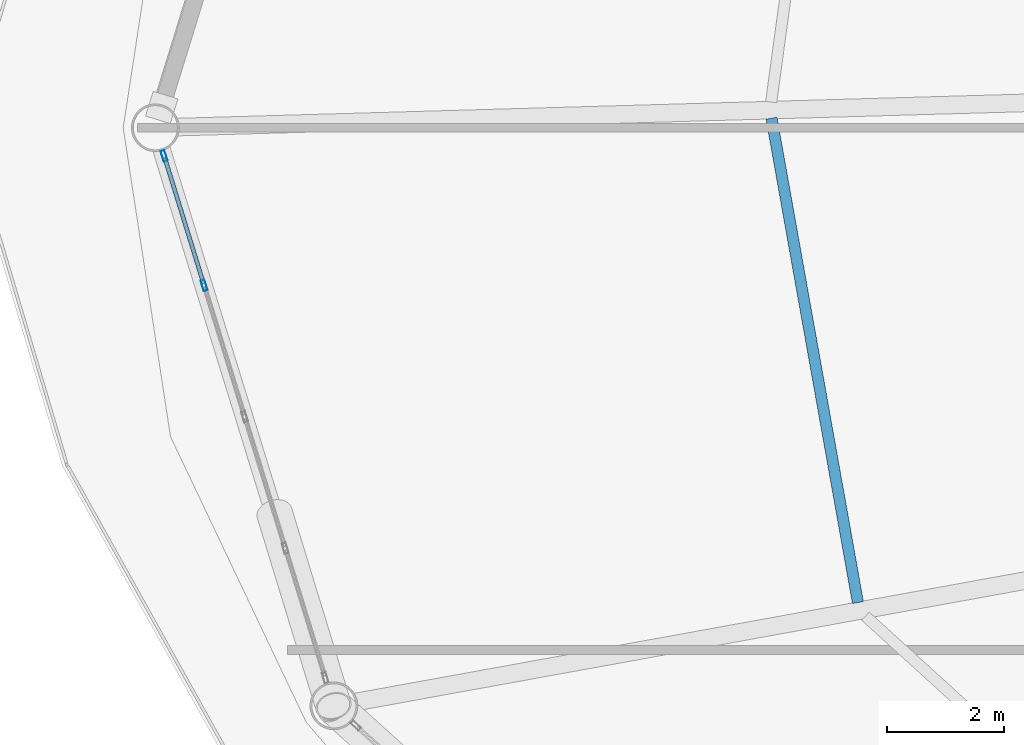
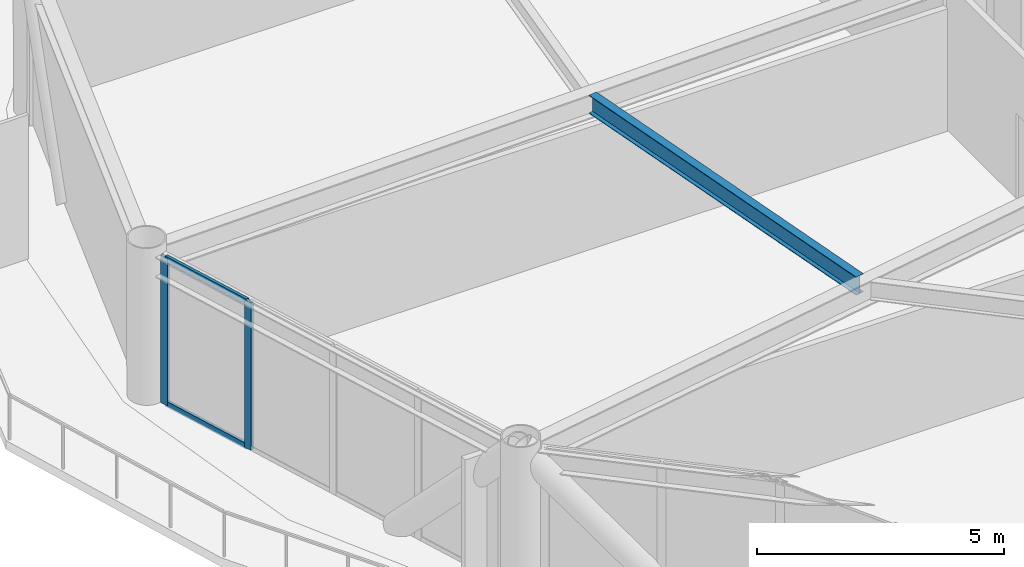
# One storey, part 7 of 23: 4 members, 1 beam, 1 element without a shape of its own.
"""IFC4 building model written with IfcOpenShell, lengths in metres."""

from ifc_helpers import new_model, si_unit, direction, frame, origin, origin_2d, place, context, subcontext, project, spatial, hollow_rectangle, i_section, extrude, material, layer, layer_set, material_profile, profile_set, type_object, element, aggregate, save


model = new_model("IFC4")

# Units and contexts
model_context = context("Model", 3, precision=1e-05, world=origin(), true_north=direction((0.0, 1.0)))
body_context = subcontext(model_context, "Body", "Model", "MODEL_VIEW")
ifc_project = project(units=[si_unit("LENGTHUNIT", "METRE"), si_unit("AREAUNIT", "SQUARE_METRE"), si_unit("VOLUMEUNIT", "CUBIC_METRE"), si_unit("PLANEANGLEUNIT", "RADIAN"), si_unit("MASSUNIT", "GRAM", prefix="KILO")], contexts=[model_context])

# Site, building, storey
site_placement = place(None, origin())
site = spatial("IfcSite", under=ifc_project, at=site_placement, CompositionType="ELEMENT")
building_placement = place(site_placement, origin())
building = spatial("IfcBuilding", under=site, at=building_placement, Name="Varnakorn Sky Granary", CompositionType="ELEMENT")
storey_placement = place(building_placement, frame((0.0, 0.0, 83.699951171875)))
storey = spatial("IfcBuildingStorey", under=building, at=storey_placement, Name="L20", CompositionType="ELEMENT", Elevation=83.699951171875)

# Beam
ifc_material_1 = material(Name="Steel S355JR", Category="steel")
ifc_material_profile_1 = material_profile(ifc_material_1, i_section(OverallWidth=0.18994140625, OverallDepth=0.449951171875, WebThickness=0.009521484375, FlangeThickness=0.0146484375, at=origin_2d()), Name="IPE 450")
ifc_profile_set_1 = profile_set([ifc_material_profile_1], Name="Steel S355JR")
beam_type = type_object("IfcBeamType", Name="BM-SEC-Z2", PredefinedType="BEAM", material=ifc_profile_set_1)
beam_placement = place(storey_placement, frame((-12.839599609375, 0.161865234375, 3.4150390625), z_axis=(0.175671735491, -0.984448800776, 0.0), x_axis=(0.984448800776, 0.175671735491, 0.0)))
element("IfcBeam", 1, at=beam_placement, inside=storey, type_object=beam_type, Name="Secondary Floor Chord Beam MSB07 L20", PredefinedType="BEAM", context=body_context, shape_type="SweptSolid", body=[
    extrude(i_section(OverallWidth=0.18994140625, OverallDepth=0.449951171875, WebThickness=0.009521484375, FlangeThickness=0.0146484375, at=origin_2d()), origin(), (0.0, 0.0, 1.0), 8.3857421875),
])

# Curtain wall, members
ifc_material_2 = material(Name="Anodised Bronze Aluminium Alloy 6063-T6", Category="aluminium")
ifc_layer = layer(ifc_material_2, 0.18994140625, Name="Anodised Bronze Aluminium Alloy 6063-T6")
ifc_layer_set = layer_set([ifc_layer], Name="Anodised Bronze Aluminium Alloy 6063-T6")
curtain_wall_type = type_object("IfcCurtainWallType", Name="CW-FRM-1", PredefinedType="USERDEFINED", material=ifc_layer_set)
curtain_wall_placement = place(storey_placement, origin())
curtain_wall = element("IfcCurtainWall", 2, at=curtain_wall_placement, inside=storey, type_object=curtain_wall_type, Name="Unitised Curtain Wall CW3 CW-L20-B07", ObjectType="CURTAIN WALL", PredefinedType="USERDEFINED")
ifc_material_profile_2 = material_profile(ifc_material_2, hollow_rectangle(XDim=0.070068359375, YDim=0.18505859375, WallThickness=0.00390625, at=origin_2d()), Name="ALU MULL 70x185")
ifc_profile_set_2 = profile_set([ifc_material_profile_2], Name="Anodised Bronze Aluminium Alloy 6063-T6")
member_type_1 = type_object("IfcMemberType", Name="CW-FRM-1-MULL", PredefinedType="MULLION", material=ifc_profile_set_2)
member_1_placement = place(storey_placement, frame((-22.510498046875, -2.686279296875, 0.0), z_axis=(0.0, 0.0, 1.0), x_axis=(-0.955474912193, -0.295072350738, 0.0)))
member_1 = element("IfcMember", 3, at=member_1_placement, type_object=member_type_1, Name="CW3 mullion 4", PredefinedType="MULLION", context=body_context, shape_type="SweptSolid", body=[
    extrude(hollow_rectangle(XDim=0.070068359375, YDim=0.18505859375, WallThickness=0.00390625, at=origin_2d()), origin(), (0.0, 0.0, 1.0), 3.64013671875),
])
member_2_placement = place(storey_placement, frame((-23.192138671875, -0.479248046875, 0.0), z_axis=(0.0, 0.0, 1.0), x_axis=(-0.955474912193, -0.295072350738, 0.0)))
member_2 = element("IfcMember", 4, at=member_2_placement, type_object=member_type_1, Name="CW3 mullion 5", PredefinedType="MULLION", context=body_context, shape_type="SweptSolid", body=[
    extrude(hollow_rectangle(XDim=0.070068359375, YDim=0.18505859375, WallThickness=0.00390625, at=origin_2d()), origin(), (0.0, 0.0, 1.0), 3.64013671875),
])
ifc_material_profile_3 = material_profile(ifc_material_2, hollow_rectangle(XDim=0.070068359375, YDim=0.139892578125, WallThickness=0.00341796875, at=origin_2d()), Name="ALU TRAN 70x140")
ifc_profile_set_3 = profile_set([ifc_material_profile_3], Name="Anodised Bronze Aluminium Alloy 6063-T6")
member_type_2 = type_object("IfcMemberType", Name="CW-FRM-1-TRAN", PredefinedType="USERDEFINED", material=ifc_profile_set_3)
member_3_placement = place(storey_placement, frame((-22.520751953125, -2.65283203125, 0.03515625), z_axis=(-0.295058432825, 0.955479210249, 0.0), x_axis=(-0.955479210249, -0.295058432825, 0.0)))
member_3 = element("IfcMember", 5, at=member_3_placement, type_object=member_type_2, Name="CW3 transom 4.1", ObjectType="TRANSOM", PredefinedType="USERDEFINED", context=body_context, shape_type="SweptSolid", body=[
    extrude(hollow_rectangle(XDim=0.070068359375, YDim=0.139892578125, WallThickness=0.00341796875, at=origin_2d()), origin(), (0.0, 0.0, 1.0), 2.23974609375),
])
member_4_placement = place(storey_placement, frame((-22.520751953125, -2.65283203125, 3.60498046875), z_axis=(-0.295058432825, 0.955479210249, 0.0), x_axis=(-0.955479210249, -0.295058432825, 0.0)))
member_4 = element("IfcMember", 6, at=member_4_placement, type_object=member_type_2, Name="CW3 transom 4.2", ObjectType="TRANSOM", PredefinedType="USERDEFINED", context=body_context, shape_type="SweptSolid", body=[
    extrude(hollow_rectangle(XDim=0.070068359375, YDim=0.139892578125, WallThickness=0.00341796875, at=origin_2d()), origin(), (0.0, 0.0, 1.0), 2.23974609375),
])
aggregate(curtain_wall, [member_1, member_2, member_3, member_4])

save(model, "model.ifc")
